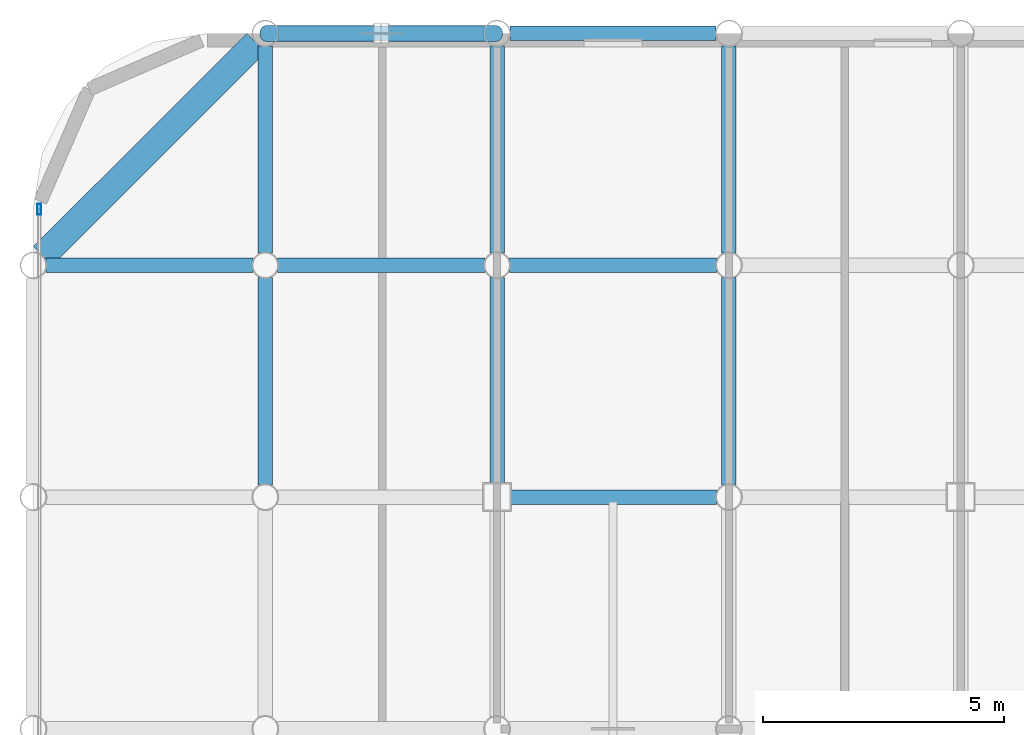
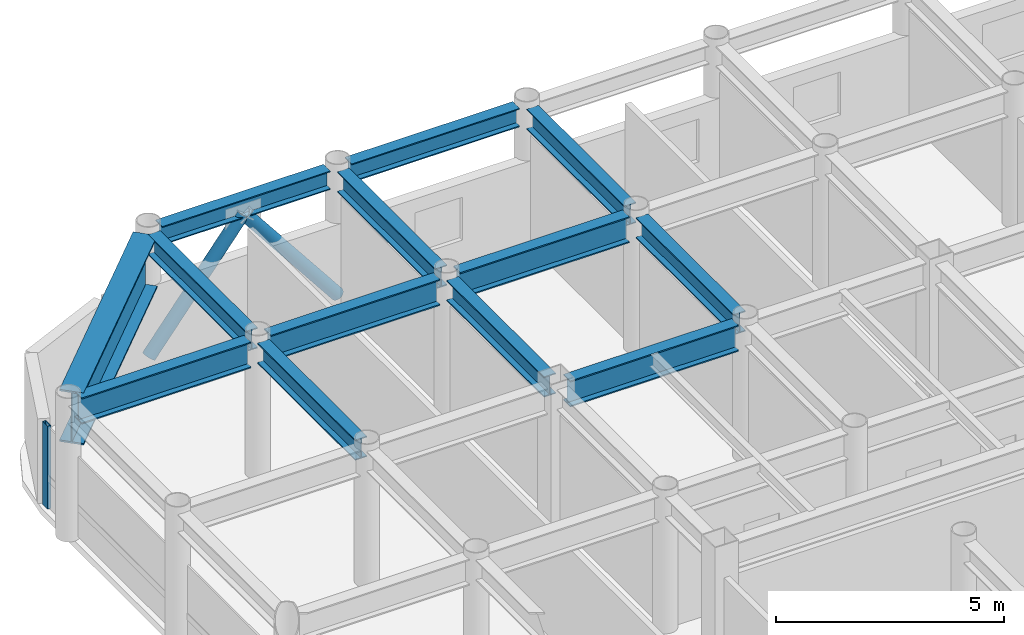
# One storey, part 12 of 22: 13 beams, 3 members, 1 element without a shape of its own.
"""IFC4 building model written with IfcOpenShell, lengths in metres."""

from ifc_helpers import new_model, si_unit, direction, frame, origin, origin_2d, place, context, subcontext, project, spatial, hollow_rectangle, hollow_circle, i_section, extrude, material, layer, layer_set, material_profile, profile_set, type_object, element, aggregate, save


model = new_model("IFC4")

# Units and contexts
model_context = context("Model", 3, precision=1e-05, world=origin(), true_north=direction((0.0, 1.0)))
body_context = subcontext(model_context, "Body", "Model", "MODEL_VIEW")
ifc_project = project(units=[si_unit("LENGTHUNIT", "METRE"), si_unit("AREAUNIT", "SQUARE_METRE"), si_unit("VOLUMEUNIT", "CUBIC_METRE"), si_unit("PLANEANGLEUNIT", "RADIAN"), si_unit("MASSUNIT", "GRAM", prefix="KILO")], contexts=[model_context])

# Site, building, storey
site_placement = place(None, origin())
site = spatial("IfcSite", under=ifc_project, at=site_placement, CompositionType="ELEMENT")
building_placement = place(site_placement, origin())
building = spatial("IfcBuilding", under=site, at=building_placement, Name="Kallvorn Hotel Tower", CompositionType="ELEMENT")
storey_placement = place(building_placement, frame((0.0, 0.0, 253.10009765625)))
storey = spatial("IfcBuildingStorey", under=building, at=storey_placement, Name="L63", CompositionType="ELEMENT", Elevation=253.10009765625)

# Beams
ifc_material_1 = material(Name="Structural steel S355JR", Category="steel")
ifc_material_profile_1 = material_profile(ifc_material_1, i_section(OverallWidth=0.300048828125, OverallDepth=0.5, WebThickness=0.014404296875, FlangeThickness=0.028076171875, at=origin_2d()), Name="HE 500 B")
ifc_profile_set_1 = profile_set([ifc_material_profile_1], Name="Structural steel S355JR")
beam_type_1 = type_object("IfcBeamType", Name="BM_HE500B", PredefinedType="SPANDREL", material=ifc_profile_set_1)
for number, where, z_axis, x_axis, name in (
    (1, (-28.530517578125, 24.0, 3.419921875), (1.0, 0.0, 0.0), (0.0, 1.0, 0.0), "L64 Perimeter Spandrel 163"),
    (2, (-23.73046875, 24.0, 3.419921875), (1.0, 0.0, 0.0), (0.0, 1.0, 0.0), "L64 Perimeter Spandrel 164"),
):
    element("IfcBeam", number, at=place(storey_placement, frame(where, z_axis=z_axis, x_axis=x_axis)), inside=storey, type_object=beam_type_1, Name=name, PredefinedType="SPANDREL", context=body_context, shape_type="SweptSolid", body=[
        extrude(i_section(OverallWidth=0.300048828125, OverallDepth=0.5, WebThickness=0.014404296875, FlangeThickness=0.028076171875, at=origin_2d()), origin(), (0.0, 0.0, 1.0), 4.260986328125),
    ])
ifc_material_2 = material(Name="Structural steel S355JR", Category="steel")
ifc_material_profile_2 = material_profile(ifc_material_2, i_section(OverallWidth=0.300048828125, OverallDepth=0.550048828125, WebThickness=0.014892578125, FlangeThickness=0.029052734375, at=origin_2d()), Name="HE 550 B")
ifc_profile_set_2 = profile_set([ifc_material_profile_2], Name="Structural steel S355JR")
beam_type_2 = type_object("IfcBeamType", Name="BM_HE550B", PredefinedType="SPANDREL", material=ifc_profile_set_2)
for number, where, z_axis, x_axis, name in (
    (3, (-28.800048828125, 14.654541015625, 3.39501953125), (0.0, 1.0, 0.0), (-1.0, 0.0, 0.0), "L64 Primary Y-Girder 80"),
    (4, (-28.800048828125, 19.45458984375, 3.39501953125), (0.0, 1.0, 0.0), (-1.0, 0.0, 0.0), "L64 Primary Y-Girder 81"),
):
    element("IfcBeam", number, at=place(storey_placement, frame(where, z_axis=z_axis, x_axis=x_axis)), inside=storey, type_object=beam_type_2, Name=name, PredefinedType="SPANDREL", context=body_context, shape_type="SweptSolid", body=[
        extrude(i_section(OverallWidth=0.300048828125, OverallDepth=0.550048828125, WebThickness=0.014892578125, FlangeThickness=0.029052734375, at=origin_2d()), origin(), (0.0, 0.0, 1.0), 4.291015625),
    ])
beam_1_placement = place(storey_placement, frame((-24.0, 14.675048828125, 3.39501953125), z_axis=(0.0, 1.0, 0.0), x_axis=(-1.0, 0.0, 0.0)))
element("IfcBeam", 5, at=beam_1_placement, inside=storey, type_object=beam_type_2, Name="L64 Primary Y-Girder 87", PredefinedType="SPANDREL", context=body_context, shape_type="SweptSolid", body=[
    extrude(i_section(OverallWidth=0.300048828125, OverallDepth=0.550048828125, WebThickness=0.014892578125, FlangeThickness=0.029052734375, at=origin_2d()), origin(), (0.0, 0.0, 1.0), 4.2705078125),
])
for number, where, z_axis, x_axis, name in (
    (6, (-24.0, 19.45458984375, 3.39501953125), (0.0, 1.0, 0.0), (-1.0, 0.0, 0.0), "L64 Primary Y-Girder 88"),
    (7, (-19.199951171875, 14.654541015625, 3.39501953125), (0.0, 1.0, 0.0), (-1.0, 0.0, 0.0), "L64 Primary Y-Girder 96"),
    (8, (-19.199951171875, 19.45458984375, 3.39501953125), (0.0, 1.0, 0.0), (-1.0, 0.0, 0.0), "L64 Primary Y-Girder 97"),
):
    element("IfcBeam", number, at=place(storey_placement, frame(where, z_axis=z_axis, x_axis=x_axis)), inside=storey, type_object=beam_type_2, Name=name, PredefinedType="SPANDREL", context=body_context, shape_type="SweptSolid", body=[
        extrude(i_section(OverallWidth=0.300048828125, OverallDepth=0.550048828125, WebThickness=0.014892578125, FlangeThickness=0.029052734375, at=origin_2d()), origin(), (0.0, 0.0, 1.0), 4.291015625),
    ])
ifc_material_3 = material(Name="Structural steel S355JR", Category="steel")
ifc_material_profile_3 = material_profile(ifc_material_3, i_section(OverallWidth=0.300048828125, OverallDepth=0.699951171875, WebThickness=0.01708984375, FlangeThickness=0.031982421875, at=origin_2d()), Name="HE 700 B")
ifc_profile_set_3 = profile_set([ifc_material_profile_3], Name="Structural steel S355JR")
beam_type_3 = type_object("IfcBeamType", Name="BM_HE700B", PredefinedType="BEAM", material=ifc_profile_set_3)
beam_2_placement = place(storey_placement, frame((-23.72509765625, 14.39990234375, 3.31982421875), z_axis=(1.0, 0.0, 0.0), x_axis=(0.0, 1.0, 0.0)))
element("IfcBeam", 9, at=beam_2_placement, inside=storey, type_object=beam_type_3, Name="L64 Primary X-Girder 52", PredefinedType="BEAM", context=body_context, shape_type="SweptSolid", body=[
    extrude(i_section(OverallWidth=0.300048828125, OverallDepth=0.699951171875, WebThickness=0.01708984375, FlangeThickness=0.031982421875, at=origin_2d()), origin(), (0.0, 0.0, 1.0), 4.2705078125),
])
for number, where, z_axis, x_axis, name in (
    (10, (-33.345458984375, 19.199951171875, 3.31982421875), (1.0, 0.0, 0.0), (0.0, 1.0, 0.0), "L64 Primary X-Girder 60"),
    (11, (-28.54541015625, 19.199951171875, 3.31982421875), (1.0, 0.0, 0.0), (0.0, 1.0, 0.0), "L64 Primary X-Girder 61"),
    (12, (-23.74560546875, 19.199951171875, 3.31982421875), (1.0, 0.0, 0.0), (0.0, 1.0, 0.0), "L64 Primary X-Girder 62"),
):
    element("IfcBeam", number, at=place(storey_placement, frame(where, z_axis=z_axis, x_axis=x_axis)), inside=storey, type_object=beam_type_3, Name=name, PredefinedType="BEAM", context=body_context, shape_type="SweptSolid", body=[
        extrude(i_section(OverallWidth=0.300048828125, OverallDepth=0.699951171875, WebThickness=0.01708984375, FlangeThickness=0.031982421875, at=origin_2d()), origin(), (0.0, 0.0, 1.0), 4.291015625),
    ])
ifc_material_4 = material(Name="Structural steel S355JR", Category="steel")
ifc_material_profile_4 = material_profile(ifc_material_4, i_section(OverallWidth=0.550048828125, OverallDepth=1.39990234375, WebThickness=0.02490234375, FlangeThickness=0.044921875, at=origin_2d()), Name="PG 1400x550x25x45")
ifc_profile_set_4 = profile_set([ifc_material_profile_4], Name="Structural steel S355JR")
beam_type_4 = type_object("IfcBeamType", Name="BM_PG_1400", PredefinedType="BEAM", material=ifc_profile_set_4)
beam_3_placement = place(storey_placement, frame((-33.409423828125, 19.390625, 2.969970703125), z_axis=(0.707126314793, 0.707087247041, 0.0), x_axis=(-0.707087247041, 0.707126314793, 0.0)))
element("IfcBeam", 13, at=beam_3_placement, inside=storey, type_object=beam_type_4, Name="L64 Rounded Corner Tie Beam 190", PredefinedType="BEAM", context=body_context, shape_type="SweptSolid", body=[
    extrude(i_section(OverallWidth=0.550048828125, OverallDepth=1.39990234375, WebThickness=0.02490234375, FlangeThickness=0.044921875, at=origin_2d()), origin(), (0.0, 0.0, 1.0), 6.249267578125),
])

# Curtain wall, member
ifc_material_5 = material(Name="Thermally broken black-anodised aluminium AA 6063-T6", Category="aluminium")
ifc_layer = layer(ifc_material_5, 0.22998046875)
ifc_layer_set = layer_set([ifc_layer], Name="CW_SYS_5_HOTEL_HIGH")
curtain_wall_type = type_object("IfcCurtainWallType", Name="CW_SYS_5_HOTEL_HIGH", PredefinedType="USERDEFINED", material=ifc_layer_set)
curtain_wall_placement = place(storey_placement, origin())
curtain_wall = element("IfcCurtainWall", 14, at=curtain_wall_placement, inside=storey, type_object=curtain_wall_type, Name="L63 Dark-Glass Curtain Wall CW-L63-WN", ObjectType="UNITISED CURTAIN WALL", PredefinedType="USERDEFINED")
ifc_material_6 = material(Name="Thermally broken black-anodised aluminium AA 6063-T6", Category="aluminium")
ifc_material_profile_5 = material_profile(ifc_material_6, hollow_rectangle(XDim=0.080078125, YDim=0.219970703125, WallThickness=0.0048828125, at=origin_2d()), Name="MUL 220x80")
ifc_profile_set_5 = profile_set([ifc_material_profile_5], Name="Thermally broken black-anodised aluminium AA 6063-T6")
member_type_1 = type_object("IfcMemberType", Name="CW_MULLION_220x80", PredefinedType="MULLION", material=ifc_profile_set_5)
member_placement = place(storey_placement, frame((-33.47998046875, 20.360107421875, 0.02001953125), z_axis=(0.0, 0.0, 1.0), x_axis=(1.0, 0.0, 0.0)))
member = element("IfcMember", 15, at=member_placement, type_object=member_type_1, Name="CW-L63-WN Mullion 01", PredefinedType="MULLION", context=body_context, shape_type="SweptSolid", body=[
    extrude(hollow_rectangle(XDim=0.080078125, YDim=0.219970703125, WallThickness=0.0048828125, at=origin_2d()), origin(), (0.0, 0.0, 1.0), 2.22998046875),
])
aggregate(curtain_wall, [member])

# Members
ifc_material_7 = material(Name="Structural steel S355J2H", Category="steel")
ifc_material_profile_6 = material_profile(ifc_material_7, hollow_circle(Radius=0.161865234375, WallThickness=0.012451171875, at=origin_2d()), Name="CHS 323.9x12.5")
ifc_profile_set_6 = profile_set([ifc_material_profile_6], Name="Structural steel S355J2H")
member_type_2 = type_object("IfcMemberType", Name="MBR_EXO_CHS323", PredefinedType="BRACE", material=ifc_profile_set_6)
for number, where, z_axis, x_axis, name in (
    (16, (-28.78759765625, 24.0, 0.195556640625), (0.620928510901, 0.0, 0.783867198159), (0.0, 1.0, 0.0), "L63 Exoskeleton K-Brace N1A"),
    (17, (-24.012451171875, 24.0, 0.195556640625), (-0.620928510901, 0.0, 0.783867198159), (0.0, -1.0, 0.0), "L63 Exoskeleton K-Brace N1B"),
):
    element("IfcMember", number, at=place(storey_placement, frame(where, z_axis=z_axis, x_axis=x_axis)), inside=storey, type_object=member_type_2, Name=name, PredefinedType="BRACE", context=body_context, shape_type="SweptSolid", body=[
        extrude(hollow_circle(Radius=0.161865234375, WallThickness=0.012451171875, at=origin_2d()), origin(), (0.0, 0.0, 1.0), 3.8251953125),
    ])

save(model, "model.ifc")
